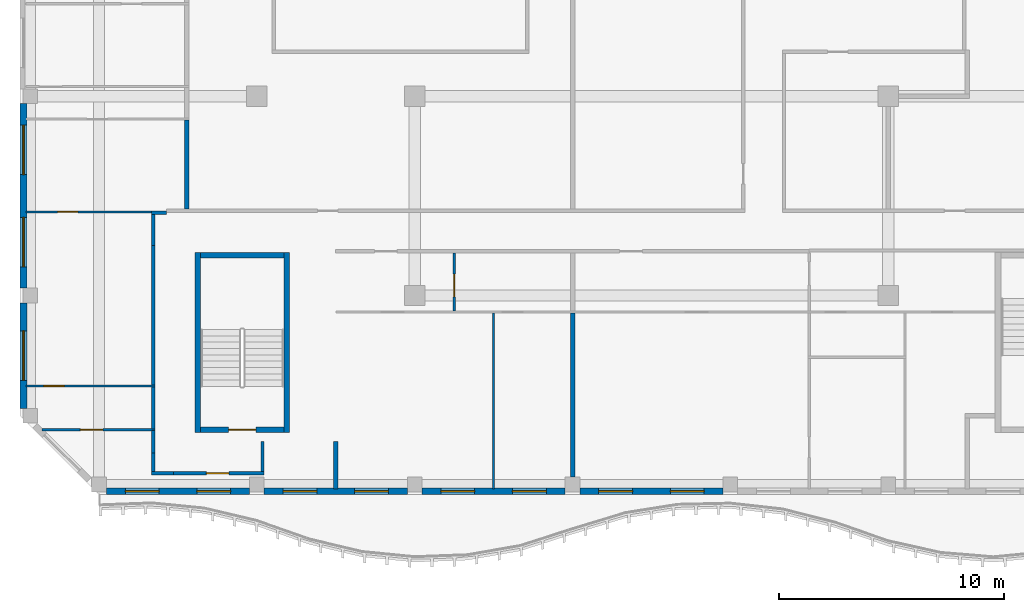
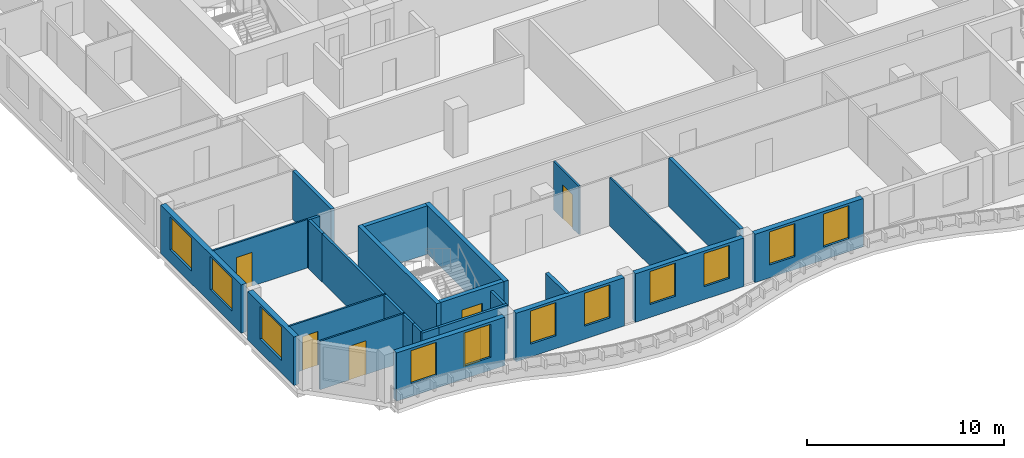
# One storey, part 2 of 13: 27 walls, 11 windows, 6 doors, 17 openings.
"""IFC4 building model written with IfcOpenShell, lengths in metres."""

from ifc_helpers import new_model, si_unit, direction, frame, frame_2d, origin, place, context, subcontext, project, spatial, rectangle, extrude, source, transform, mapped, material, layer, layer_set, type_object, element, fill, save


model = new_model("IFC4")

# Units and contexts
model_context = context("Model", 3, precision=1e-05, world=origin(), true_north=direction((0.0, 1.0)))
body_context = subcontext(model_context, "Body", "Model", "MODEL_VIEW")
ifc_project = project(units=[si_unit("LENGTHUNIT", "METRE"), si_unit("AREAUNIT", "SQUARE_METRE"), si_unit("VOLUMEUNIT", "CUBIC_METRE"), si_unit("PLANEANGLEUNIT", "RADIAN"), si_unit("MASSUNIT", "GRAM", prefix="KILO")], contexts=[model_context])

# Site, building, storey
site_placement = place(None, origin())
site = spatial("IfcSite", under=ifc_project, at=site_placement, CompositionType="ELEMENT")
building_placement = place(site_placement, origin())
building = spatial("IfcBuilding", under=site, at=building_placement, Name="Kilnfold Tower and Market Hall", CompositionType="ELEMENT")
storey_placement = place(building_placement, frame((0.0, 0.0, 287.39990234375)))
storey = spatial("IfcBuildingStorey", under=building, at=storey_placement, Name="L71", CompositionType="ELEMENT", Elevation=287.39990234375)

# Wall
ifc_material_1 = material(Name="Gypsum board on steel studs", Category="steel")
ifc_layer_1 = layer(ifc_material_1, 0.14990234375)
ifc_layer_set_1 = layer_set([ifc_layer_1], Name="Gypsum board on steel studs")
wall_type_1 = type_object("IfcWallType", Name="WALL CORRIDOR 150", PredefinedType="PARTITIONING", material=ifc_layer_set_1)
wall_1_placement = place(storey_placement, frame((-14.75, -17.47509765625, 0.0), z_axis=(0.0, 0.0, 1.0), x_axis=(0.0, 1.0, 0.0)))
element("IfcWall", 1, at=wall_1_placement, inside=storey, type_object=wall_type_1, Name="Partition LY43.1", PredefinedType="PARTITIONING", context=body_context, shape_type="SweptSolid", body=[
    extrude(rectangle(XDim=1.335205078125, YDim=0.14990234375, at=frame_2d((0.66748046875, 0.0))), origin(), (0.0, 0.0, 1.0), 3.0),
])

# Wall, opening, door
wall_2_placement = place(storey_placement, frame((-18.697998046875, -17.550048828125, 0.0), z_axis=(0.0, 0.0, 1.0), x_axis=(1.0, 0.0, 0.0)))
wall_2 = element("IfcWall", 2, at=wall_2_placement, inside=storey, type_object=wall_type_1, Name="Partition LY43.2", PredefinedType="PARTITIONING", context=body_context, shape_type="SweptSolid", body=[
    extrude(rectangle(XDim=4.02294921875, YDim=0.14990234375, at=frame_2d((2.011474609375, 0.0))), origin(), (0.0, 0.0, 1.0), 3.0),
])
opening_1_placement = place(wall_2_placement, frame((1.4599609375, 0.0, 0.0)))
opening_1 = element("IfcOpeningElement", 3, at=opening_1_placement, cuts=wall_2, Name="Opening D1", PredefinedType="OPENING", context=body_context, shape_type="SweptSolid", body=[
    extrude(rectangle(XDim=1.0, YDim=2.10009765625, at=frame_2d((0.5, 1.050048828125))), frame((0.0, 0.0849609375, 0.0), z_axis=(0.0, -1.0, 0.0), x_axis=(1.0, 0.0, 0.0)), (0.0, 0.0, 1.0), 0.169921875),
])
ifc_material_2 = material(Name="Timber veneer door leaf in steel frame", Category="steel")
door_type_1 = type_object("IfcDoorType", Name="DOOR ENTRY 1000 X2100", OperationType="NOTDEFINED", PredefinedType="DOOR", material=ifc_material_2)
door_1_placement = place(opening_1_placement, origin())
door_1 = element("IfcDoor", 4, at=door_1_placement, inside=storey, type_object=door_type_1, Name="Door D1", OperationType="SINGLE_SWING_RIGHT", OverallHeight=2.10009765625, OverallWidth=1.0, PredefinedType="DOOR", context=body_context, shape_type="SweptSolid", body=[
    extrude(rectangle(XDim=1.0, YDim=2.10009765625, at=frame_2d((0.5, 1.050048828125))), frame((0.0, 0.02490234375, 0.0), z_axis=(0.0, -1.0, 0.0), x_axis=(1.0, 0.0, 0.0)), (0.0, 0.0, 1.0), 0.050048828125),
])
fill(opening_1, door_1)

# Walls
wall_3_placement = place(storey_placement, frame((-19.677001953125, -17.552001953125, 0.0), z_axis=(0.0, 0.0, 1.0), x_axis=(1.0, 0.0, 0.0)))
element("IfcWall", 5, at=wall_3_placement, inside=storey, type_object=wall_type_1, Name="Partition LY43.3", PredefinedType="PARTITIONING", context=body_context, shape_type="SweptSolid", body=[
    extrude(rectangle(XDim=0.97900390625, YDim=0.14990234375, at=frame_2d((0.489501953125, 0.0))), origin(), (0.0, 0.0, 1.0), 3.0),
])
wall_4_placement = place(storey_placement, frame((-19.60205078125, -17.47705078125, 0.0), z_axis=(0.0, 0.0, 1.0), x_axis=(0.0, 1.0, 0.0)))
element("IfcWall", 6, at=wall_4_placement, inside=storey, type_object=wall_type_1, Name="Partition LY43.4", PredefinedType="PARTITIONING", context=body_context, shape_type="SweptSolid", body=[
    extrude(rectangle(XDim=0.8291015625, YDim=0.14990234375, at=frame_2d((0.41455078125, 0.0))), origin(), (0.0, 0.0, 1.0), 3.0),
])
wall_5_placement = place(storey_placement, frame((-19.60009765625, -16.64794921875, 0.0), z_axis=(0.0, 0.0, 1.0), x_axis=(0.0, 1.0, 0.0)))
element("IfcWall", 7, at=wall_5_placement, inside=storey, type_object=wall_type_1, Name="Partition LY43.5", PredefinedType="PARTITIONING", context=body_context, shape_type="SweptSolid", body=[
    extrude(rectangle(XDim=0.989990234375, YDim=0.14990234375, at=frame_2d((0.4951171875, 0.0))), origin(), (0.0, 0.0, 1.0), 3.0),
])
wall_6_placement = place(storey_placement, frame((-19.60009765625, -15.577880859375, 0.0), z_axis=(0.0, 0.0, 1.0), x_axis=(0.0, 1.0, 0.0)))
element("IfcWall", 8, at=wall_6_placement, inside=storey, type_object=wall_type_1, Name="Partition LY43.6", PredefinedType="PARTITIONING", context=body_context, shape_type="SweptSolid", body=[
    extrude(rectangle(XDim=1.85498046875, YDim=0.14990234375, at=frame_2d((0.927490234375, 0.0))), origin(), (0.0, 0.0, 1.0), 3.0),
])
wall_7_placement = place(storey_placement, frame((-19.0, -5.99609375, 0.0), z_axis=(0.0, 0.0, 1.0), x_axis=(-1.0, 0.0, 0.0)))
element("IfcWall", 9, at=wall_7_placement, inside=storey, type_object=wall_type_1, Name="Partition LY43.7", PredefinedType="PARTITIONING", context=body_context, shape_type="SweptSolid", body=[
    extrude(rectangle(XDim=0.677001953125, YDim=0.14990234375, at=frame_2d((0.33837890625, 0.0))), origin(), (0.0, 0.0, 1.0), 3.0),
])
wall_8_placement = place(storey_placement, frame((-19.60009765625, -13.64306640625, 0.0), z_axis=(0.0, 0.0, 1.0), x_axis=(0.0, 1.0, 0.0)))
element("IfcWall", 10, at=wall_8_placement, inside=storey, type_object=wall_type_1, Name="Partition LY43.8", PredefinedType="PARTITIONING", context=body_context, shape_type="SweptSolid", body=[
    extrude(rectangle(XDim=6.191162109375, YDim=0.14990234375, at=frame_2d((3.095703125, 0.0))), origin(), (0.0, 0.0, 1.0), 3.0),
])
wall_9_placement = place(storey_placement, frame((-19.60205078125, -7.451904296875, 0.0), z_axis=(0.0, 0.0, 1.0), x_axis=(0.0, 1.0, 0.0)))
element("IfcWall", 11, at=wall_9_placement, inside=storey, type_object=wall_type_1, Name="Partition LY43.9", PredefinedType="PARTITIONING", context=body_context, shape_type="SweptSolid", body=[
    extrude(rectangle(XDim=1.380859375, YDim=0.14990234375, at=frame_2d((0.6904296875, 0.0))), origin(), (0.0, 0.0, 1.0), 3.0),
])

# Wall, opening, door
ifc_material_3 = material(Name="Gypsum board on steel studs", Category="steel")
ifc_layer_2 = layer(ifc_material_3, 0.10009765625)
ifc_layer_set_2 = layer_set([ifc_layer_2], Name="Gypsum board on steel studs")
wall_type_2 = type_object("IfcWallType", Name="WALL PARTITION 100", PredefinedType="PARTITIONING", material=ifc_layer_set_2)
wall_10_placement = place(storey_placement, frame((-19.527099609375, -15.617919921875, 0.0), z_axis=(0.0, 0.0, 1.0), x_axis=(-1.0, 0.0, 0.0)))
wall_10 = element("IfcWall", 12, at=wall_10_placement, inside=storey, type_object=wall_type_2, Name="Partition LY43.35", PredefinedType="PARTITIONING", context=body_context, shape_type="SweptSolid", body=[
    extrude(rectangle(XDim=5.0009765625, YDim=0.10009765625, at=frame_2d((2.50048828125, 0.0))), origin(), (0.0, 0.0, 1.0), 3.0),
])
opening_2_placement = place(wall_10_placement, frame((2.301025390625, 0.0, 0.0)))
opening_2 = element("IfcOpeningElement", 13, at=opening_2_placement, cuts=wall_10, Name="Opening D1", PredefinedType="OPENING", context=body_context, shape_type="SweptSolid", body=[
    extrude(rectangle(XDim=1.0, YDim=2.10009765625, at=frame_2d((0.5, 1.050048828125))), frame((0.0, 0.06005859375, 0.0), z_axis=(0.0, -1.0, 0.0), x_axis=(1.0, 0.0, 0.0)), (0.0, 0.0, 1.0), 0.1201171875),
])
door_2_placement = place(opening_2_placement, origin())
door_2 = element("IfcDoor", 14, at=door_2_placement, inside=storey, type_object=door_type_1, Name="Door D1", OperationType="SINGLE_SWING_RIGHT", OverallHeight=2.10009765625, OverallWidth=1.0, PredefinedType="DOOR", context=body_context, shape_type="SweptSolid", body=[
    extrude(rectangle(XDim=1.0, YDim=2.10009765625, at=frame_2d((0.5, 1.050048828125))), frame((0.0, 0.02490234375, 0.0), z_axis=(0.0, -1.0, 0.0), x_axis=(1.0, 0.0, 0.0)), (0.0, 0.0, 1.0), 0.050048828125),
])
fill(opening_2, door_2)

wall_11_placement = place(storey_placement, frame((-19.527099609375, -13.68310546875, 0.0), z_axis=(0.0, 0.0, 1.0), x_axis=(-1.0, 0.0, 0.0)))
wall_11 = element("IfcWall", 15, at=wall_11_placement, inside=storey, type_object=wall_type_2, Name="Partition LY43.37", PredefinedType="PARTITIONING", context=body_context, shape_type="SweptSolid", body=[
    extrude(rectangle(XDim=5.722900390625, YDim=0.10009765625, at=frame_2d((2.861328125, 0.0))), origin(), (0.0, 0.0, 1.0), 3.0),
])
opening_3_placement = place(wall_11_placement, frame((4.02001953125, 0.0, 0.0)))
opening_3 = element("IfcOpeningElement", 16, at=opening_3_placement, cuts=wall_11, Name="Opening D2", PredefinedType="OPENING", context=body_context, shape_type="SweptSolid", body=[
    extrude(rectangle(XDim=0.89990234375, YDim=2.10009765625, at=frame_2d((0.449951171875, 1.050048828125))), frame((0.0, 0.06005859375, 0.0), z_axis=(0.0, -1.0, 0.0), x_axis=(1.0, 0.0, 0.0)), (0.0, 0.0, 1.0), 0.1201171875),
])
ifc_material_4 = material(Name="Timber veneer door leaf in steel frame", Category="steel")
door_type_2 = type_object("IfcDoorType", Name="DOOR ROOM 900 X2100", OperationType="NOTDEFINED", PredefinedType="DOOR", material=ifc_material_4)
door_3_placement = place(opening_3_placement, origin())
door_3 = element("IfcDoor", 17, at=door_3_placement, inside=storey, type_object=door_type_2, Name="Door D2", OperationType="SINGLE_SWING_LEFT", OverallHeight=2.10009765625, OverallWidth=0.89990234375, PredefinedType="DOOR", context=body_context, shape_type="SweptSolid", body=[
    extrude(rectangle(XDim=0.89990234375, YDim=2.10009765625, at=frame_2d((0.449951171875, 1.050048828125))), frame((0.0, 0.02490234375, 0.0), z_axis=(0.0, -1.0, 0.0), x_axis=(1.0, 0.0, 0.0)), (0.0, 0.0, 1.0), 0.050048828125),
])
fill(opening_3, door_3)

wall_12_placement = place(storey_placement, frame((-19.677001953125, -5.9580078125, 0.0), z_axis=(0.0, 0.0, 1.0), x_axis=(-1.0, 0.0, 0.0)))
wall_12 = element("IfcWall", 18, at=wall_12_placement, inside=storey, type_object=wall_type_2, Name="Partition LY43.38", PredefinedType="PARTITIONING", context=body_context, shape_type="SweptSolid", body=[
    extrude(rectangle(XDim=5.572998046875, YDim=0.10009765625, at=frame_2d((2.78662109375, 0.0))), origin(), (0.0, 0.0, 1.0), 3.0),
])
opening_4_placement = place(wall_12_placement, frame((3.260986328125, 0.0, 0.0)))
opening_4 = element("IfcOpeningElement", 19, at=opening_4_placement, cuts=wall_12, Name="Opening D2", PredefinedType="OPENING", context=body_context, shape_type="SweptSolid", body=[
    extrude(rectangle(XDim=0.89990234375, YDim=2.10009765625, at=frame_2d((0.449951171875, 1.050048828125))), frame((0.0, 0.06005859375, 0.0), z_axis=(0.0, -1.0, 0.0), x_axis=(1.0, 0.0, 0.0)), (0.0, 0.0, 1.0), 0.1201171875),
])
door_4_placement = place(opening_4_placement, origin())
door_4 = element("IfcDoor", 20, at=door_4_placement, inside=storey, type_object=door_type_2, Name="Door D2", OperationType="SINGLE_SWING_RIGHT", OverallHeight=2.10009765625, OverallWidth=0.89990234375, PredefinedType="DOOR", context=body_context, shape_type="SweptSolid", body=[
    extrude(rectangle(XDim=0.89990234375, YDim=2.10009765625, at=frame_2d((0.449951171875, 1.050048828125))), frame((0.0, 0.02490234375, 0.0), z_axis=(0.0, -1.0, 0.0), x_axis=(1.0, 0.0, 0.0)), (0.0, 0.0, 1.0), 0.050048828125),
])
fill(opening_4, door_4)

wall_13_placement = place(storey_placement, frame((-6.25, -10.35009765625, 0.0), z_axis=(0.0, 0.0, 1.0), x_axis=(0.0, 1.0, 0.0)))
wall_13 = element("IfcWall", 21, at=wall_13_placement, inside=storey, type_object=wall_type_2, Name="Partition LY43.48", PredefinedType="PARTITIONING", context=body_context, shape_type="SweptSolid", body=[
    extrude(rectangle(XDim=2.572998046875, YDim=0.10009765625, at=frame_2d((1.28662109375, 0.0))), origin(), (0.0, 0.0, 1.0), 3.0),
])
opening_5_placement = place(wall_13_placement, frame((0.626953125, 0.0, 0.0)))
opening_5 = element("IfcOpeningElement", 22, at=opening_5_placement, cuts=wall_13, Name="Opening D1", PredefinedType="OPENING", context=body_context, shape_type="SweptSolid", body=[
    extrude(rectangle(XDim=1.0, YDim=2.10009765625, at=frame_2d((0.5, 1.050048828125))), frame((0.0, 0.06005859375, 0.0), z_axis=(0.0, -1.0, 0.0), x_axis=(1.0, 0.0, 0.0)), (0.0, 0.0, 1.0), 0.1201171875),
])
door_5_placement = place(opening_5_placement, origin())
door_5 = element("IfcDoor", 23, at=door_5_placement, inside=storey, type_object=door_type_1, Name="Door D1", OperationType="SINGLE_SWING_LEFT", OverallHeight=2.10009765625, OverallWidth=1.0, PredefinedType="DOOR", context=body_context, shape_type="SweptSolid", body=[
    extrude(rectangle(XDim=1.0, YDim=2.10009765625, at=frame_2d((0.5, 1.050048828125))), frame((0.0, 0.02490234375, 0.0), z_axis=(0.0, -1.0, 0.0), x_axis=(1.0, 0.0, 0.0)), (0.0, 0.0, 1.0), 0.050048828125),
])
fill(opening_5, door_5)

# Walls
wall_14_placement = place(storey_placement, frame((-4.5, -18.25, 0.0), z_axis=(0.0, 0.0, 1.0), x_axis=(0.0, 1.0, 0.0)))
element("IfcWall", 24, at=wall_14_placement, inside=storey, type_object=wall_type_2, Name="Partition LY43.51", PredefinedType="PARTITIONING", context=body_context, shape_type="SweptSolid", body=[
    extrude(rectangle(XDim=7.798095703125, YDim=0.10009765625, at=frame_2d((3.89892578125, 0.0))), origin(), (0.0, 0.0, 1.0), 3.0),
])
ifc_material_5 = material(Name="Gypsum board on steel studs", Category="steel")
ifc_layer_3 = layer(ifc_material_5, 0.199951171875)
ifc_layer_set_3 = layer_set([ifc_layer_3], Name="Gypsum board on steel studs")
wall_type_3 = type_object("IfcWallType", Name="WALL PARTY 200", PredefinedType="PARTITIONING", material=ifc_layer_set_3)
wall_15_placement = place(storey_placement, frame((-11.5, -18.25, 0.0), z_axis=(0.0, 0.0, 1.0), x_axis=(0.0, 1.0, 0.0)))
element("IfcWall", 25, at=wall_15_placement, inside=storey, type_object=wall_type_3, Name="Partition LY43.36", PredefinedType="PARTITIONING", context=body_context, shape_type="SweptSolid", body=[
    extrude(rectangle(XDim=2.10009765625, YDim=0.199951171875, at=frame_2d((1.050048828125, 0.0))), origin(), (0.0, 0.0, 1.0), 3.0),
])
wall_16_placement = place(storey_placement, frame((-18.10009765625, -5.822998046875, 0.0), z_axis=(0.0, 0.0, 1.0), x_axis=(0.0, 1.0, 0.0)))
element("IfcWall", 26, at=wall_16_placement, inside=storey, type_object=wall_type_3, Name="Partition LY43.40", PredefinedType="PARTITIONING", context=body_context, shape_type="SweptSolid", body=[
    extrude(rectangle(XDim=3.930908203125, YDim=0.199951171875, at=frame_2d((1.96533203125, 0.0))), origin(), (0.0, 0.0, 1.0), 3.0),
])
wall_17_placement = place(storey_placement, frame((-1.0, -17.72509765625, 0.0), z_axis=(0.0, 0.0, 1.0), x_axis=(0.0, 1.0, 0.0)))
element("IfcWall", 27, at=wall_17_placement, inside=storey, type_object=wall_type_3, Name="Partition LY43.52", PredefinedType="PARTITIONING", context=body_context, shape_type="SweptSolid", body=[
    extrude(rectangle(XDim=7.273193359375, YDim=0.199951171875, at=frame_2d((3.63671875, 0.0))), origin(), (0.0, 0.0, 1.0), 3.0),
])

# Wall, opening, door
ifc_material_6 = material(Name="Concrete C50", Category="concrete")
ifc_layer_4 = layer(ifc_material_6, 0.25)
ifc_layer_set_4 = layer_set([ifc_layer_4], Name="Concrete C50")
wall_type_4 = type_object("IfcWallType", Name="CORE WALL 250 C50", PredefinedType="SHEAR", material=ifc_layer_set_4)
shared_shape_1 = source(origin(), body_context, "Body", "SweptSolid", [
    extrude(rectangle(XDim=3.699951171875, YDim=0.25, at=frame_2d((1.85009765625, 0.0))), origin(), (0.0, 0.0, 1.0), 3.0),
])
wall_18_placement = place(storey_placement, frame((-17.5, -15.625, 0.0), z_axis=(0.0, 0.0, 1.0), x_axis=(1.0, 0.0, 0.0)))
wall_18 = element("IfcWall", 28, at=wall_18_placement, inside=storey, type_object=wall_type_4, Name="Stair enclosure ST3", PredefinedType="SHEAR", context=body_context, shape_type="MappedRepresentation", body=[
    mapped(shared_shape_1, transform((0.0, 0.0, 0.0))),
])
opening_6_placement = place(wall_18_placement, frame((1.25, 0.0, 0.0)))
opening_6 = element("IfcOpeningElement", 29, at=opening_6_placement, cuts=wall_18, Name="Opening SD1", PredefinedType="OPENING", context=body_context, shape_type="SweptSolid", body=[
    extrude(rectangle(XDim=1.199951171875, YDim=2.10009765625, at=frame_2d((0.60009765625, 1.050048828125))), frame((0.0, 0.135009765625, 0.0), z_axis=(0.0, -1.0, 0.0), x_axis=(1.0, 0.0, 0.0)), (0.0, 0.0, 1.0), 0.27001953125),
])
ifc_material_7 = material(Name="Steel door set with fire-resisting leaf", Category="steel")
door_type_3 = type_object("IfcDoorType", Name="STAIR FLOOR DOOR 1200X2100", OperationType="NOTDEFINED", PredefinedType="DOOR", material=ifc_material_7)
door_6_placement = place(opening_6_placement, origin())
door_6 = element("IfcDoor", 30, at=door_6_placement, inside=storey, type_object=door_type_3, Name="Exit stair ST3 door", OperationType="DOUBLE_DOOR_SINGLE_SWING", OverallHeight=2.10009765625, OverallWidth=1.199951171875, PredefinedType="DOOR", context=body_context, shape_type="SweptSolid", body=[
    extrude(rectangle(XDim=1.199951171875, YDim=2.10009765625, at=frame_2d((0.60009765625, 1.050048828125))), frame((0.0, 0.02490234375, 0.0), z_axis=(0.0, -1.0, 0.0), x_axis=(1.0, 0.0, 0.0)), (0.0, 0.0, 1.0), 0.050048828125),
])
fill(opening_6, door_6)

# Walls
wall_19_placement = place(storey_placement, frame((-17.5, -7.875, 0.0), z_axis=(0.0, 0.0, 1.0), x_axis=(1.0, 0.0, 0.0)))
element("IfcWall", 31, at=wall_19_placement, inside=storey, type_object=wall_type_4, Name="Stair enclosure ST3", PredefinedType="SHEAR", context=body_context, shape_type="MappedRepresentation", body=[
    mapped(shared_shape_1, transform((0.0, 0.0, 0.0))),
])
shared_shape_2 = source(origin(), body_context, "Body", "SweptSolid", [
    extrude(rectangle(XDim=8.0, YDim=0.25, at=frame_2d((4.0, 0.0))), origin(), (0.0, 0.0, 1.0), 3.0),
])
for number, where, z_axis, x_axis, name in (
    (32, (-17.625, -15.75, 0.0), (0.0, 0.0, 1.0), (0.0, 1.0, 0.0), "Stair enclosure ST3"),
    (33, (-13.675048828125, -15.75, 0.0), (0.0, 0.0, 1.0), (0.0, 1.0, 0.0), "Stair enclosure ST3"),
):
    element("IfcWall", number, at=place(storey_placement, frame(where, z_axis=z_axis, x_axis=x_axis)), inside=storey, type_object=wall_type_4, Name=name, PredefinedType="SHEAR", context=body_context, shape_type="MappedRepresentation", body=[
        mapped(shared_shape_2, transform((0.0, 0.0, 0.0))),
    ])

# Wall, openings, windows
ifc_material_8 = material(Name="Precast concrete C50/60", Category="concrete")
ifc_layer_5 = layer(ifc_material_8, 0.300048828125)
ifc_layer_set_5 = layer_set([ifc_layer_5], Name="Precast concrete C50/60")
wall_type_5 = type_object("IfcWallType", Name="PRECAST WALL 300", PredefinedType="SOLIDWALL", material=ifc_layer_set_5)
shared_shape_3 = source(origin(), body_context, "Body", "SweptSolid", [
    extrude(rectangle(XDim=6.35009765625, YDim=0.300048828125, at=frame_2d((3.175048828125, 0.0))), origin(), (0.0, 0.0, 1.0), 3.0),
])
wall_20_placement = place(storey_placement, frame((-21.675048828125, -18.35009765625, 0.0), z_axis=(0.0, 0.0, 1.0), x_axis=(1.0, 0.0, 0.0)))
wall_20 = element("IfcWall", 34, at=wall_20_placement, inside=storey, type_object=wall_type_5, Name="External wall L71 S", PredefinedType="SOLIDWALL", context=body_context, shape_type="MappedRepresentation", body=[
    mapped(shared_shape_3, transform((0.0, 0.0, 0.0))),
])
opening_7_placement = place(wall_20_placement, frame((0.83740234375, 0.0, 0.800048828125)))
opening_7 = element("IfcOpeningElement", 35, at=opening_7_placement, cuts=wall_20, Name="Opening W5", PredefinedType="OPENING", context=body_context, shape_type="SweptSolid", body=[
    extrude(rectangle(XDim=1.5, YDim=2.050048828125, at=frame_2d((0.75, 1.02490234375))), frame((0.0, 0.16015625, 0.0), z_axis=(0.0, -1.0, 0.0), x_axis=(1.0, 0.0, 0.0)), (0.0, 0.0, 1.0), 0.320068359375),
])
opening_8_placement = place(wall_20_placement, frame((4.012451171875, 0.0, 0.800048828125)))
opening_8 = element("IfcOpeningElement", 36, at=opening_8_placement, cuts=wall_20, Name="Opening W5", PredefinedType="OPENING", context=body_context, shape_type="SweptSolid", body=[
    extrude(rectangle(XDim=1.5, YDim=2.050048828125, at=frame_2d((0.75, 1.02490234375))), frame((0.0, 0.16015625, 0.0), z_axis=(0.0, -1.0, 0.0), x_axis=(1.0, 0.0, 0.0)), (0.0, 0.0, 1.0), 0.320068359375),
])
ifc_material_9 = material(Name="Aluminium frame and double glazing", Category="aluminium")
window_type_1 = type_object("IfcWindowType", Name="WINDOW W5 1500X2050", PartitioningType="SINGLE_PANEL", PredefinedType="WINDOW", material=ifc_material_9)
window_1_placement = place(opening_7_placement, origin())
window_1 = element("IfcWindow", 37, at=window_1_placement, inside=storey, type_object=window_type_1, Name="Window W5 L71 S-1", OverallHeight=2.050048828125, OverallWidth=1.5, PartitioningType="SINGLE_PANEL", PredefinedType="WINDOW", context=body_context, shape_type="SweptSolid", body=[
    extrude(rectangle(XDim=1.5, YDim=2.050048828125, at=frame_2d((0.75, 1.02490234375))), frame((0.0, 0.030029296875, 0.0), z_axis=(0.0, -1.0, 0.0), x_axis=(1.0, 0.0, 0.0)), (0.0, 0.0, 1.0), 0.06005859375),
])
fill(opening_7, window_1)
window_2_placement = place(opening_8_placement, origin())
window_2 = element("IfcWindow", 38, at=window_2_placement, inside=storey, type_object=window_type_1, Name="Window W5 L71 S-2", OverallHeight=2.050048828125, OverallWidth=1.5, PartitioningType="SINGLE_PANEL", PredefinedType="WINDOW", context=body_context, shape_type="SweptSolid", body=[
    extrude(rectangle(XDim=1.5, YDim=2.050048828125, at=frame_2d((0.75, 1.02490234375))), frame((0.0, 0.030029296875, 0.0), z_axis=(0.0, -1.0, 0.0), x_axis=(1.0, 0.0, 0.0)), (0.0, 0.0, 1.0), 0.06005859375),
])
fill(opening_8, window_2)

wall_21_placement = place(storey_placement, frame((-14.675048828125, -18.35009765625, 0.0), z_axis=(0.0, 0.0, 1.0), x_axis=(1.0, 0.0, 0.0)))
wall_21 = element("IfcWall", 39, at=wall_21_placement, inside=storey, type_object=wall_type_5, Name="External wall L71 S", PredefinedType="SOLIDWALL", context=body_context, shape_type="MappedRepresentation", body=[
    mapped(shared_shape_3, transform((0.0, 0.0, 0.0))),
])
opening_9_placement = place(wall_21_placement, frame((0.83740234375, 0.0, 0.800048828125)))
opening_9 = element("IfcOpeningElement", 40, at=opening_9_placement, cuts=wall_21, Name="Opening W5", PredefinedType="OPENING", context=body_context, shape_type="SweptSolid", body=[
    extrude(rectangle(XDim=1.5, YDim=2.050048828125, at=frame_2d((0.75, 1.02490234375))), frame((0.0, 0.16015625, 0.0), z_axis=(0.0, -1.0, 0.0), x_axis=(1.0, 0.0, 0.0)), (0.0, 0.0, 1.0), 0.320068359375),
])
opening_10_placement = place(wall_21_placement, frame((4.012451171875, 0.0, 0.800048828125)))
opening_10 = element("IfcOpeningElement", 41, at=opening_10_placement, cuts=wall_21, Name="Opening W5", PredefinedType="OPENING", context=body_context, shape_type="SweptSolid", body=[
    extrude(rectangle(XDim=1.5, YDim=2.050048828125, at=frame_2d((0.75, 1.02490234375))), frame((0.0, 0.16015625, 0.0), z_axis=(0.0, -1.0, 0.0), x_axis=(1.0, 0.0, 0.0)), (0.0, 0.0, 1.0), 0.320068359375),
])
window_3_placement = place(opening_9_placement, origin())
window_3 = element("IfcWindow", 42, at=window_3_placement, inside=storey, type_object=window_type_1, Name="Window W5 L71 S-1", OverallHeight=2.050048828125, OverallWidth=1.5, PartitioningType="SINGLE_PANEL", PredefinedType="WINDOW", context=body_context, shape_type="SweptSolid", body=[
    extrude(rectangle(XDim=1.5, YDim=2.050048828125, at=frame_2d((0.75, 1.02490234375))), frame((0.0, 0.030029296875, 0.0), z_axis=(0.0, -1.0, 0.0), x_axis=(1.0, 0.0, 0.0)), (0.0, 0.0, 1.0), 0.06005859375),
])
fill(opening_9, window_3)
window_4_placement = place(opening_10_placement, origin())
window_4 = element("IfcWindow", 43, at=window_4_placement, inside=storey, type_object=window_type_1, Name="Window W5 L71 S-2", OverallHeight=2.050048828125, OverallWidth=1.5, PartitioningType="SINGLE_PANEL", PredefinedType="WINDOW", context=body_context, shape_type="SweptSolid", body=[
    extrude(rectangle(XDim=1.5, YDim=2.050048828125, at=frame_2d((0.75, 1.02490234375))), frame((0.0, 0.030029296875, 0.0), z_axis=(0.0, -1.0, 0.0), x_axis=(1.0, 0.0, 0.0)), (0.0, 0.0, 1.0), 0.06005859375),
])
fill(opening_10, window_4)

wall_22_placement = place(storey_placement, frame((-7.675048828125, -18.35009765625, 0.0), z_axis=(0.0, 0.0, 1.0), x_axis=(1.0, 0.0, 0.0)))
wall_22 = element("IfcWall", 44, at=wall_22_placement, inside=storey, type_object=wall_type_5, Name="External wall L71 S", PredefinedType="SOLIDWALL", context=body_context, shape_type="MappedRepresentation", body=[
    mapped(shared_shape_3, transform((0.0, 0.0, 0.0))),
])
opening_11_placement = place(wall_22_placement, frame((0.83740234375, 0.0, 0.800048828125)))
opening_11 = element("IfcOpeningElement", 45, at=opening_11_placement, cuts=wall_22, Name="Opening W5", PredefinedType="OPENING", context=body_context, shape_type="SweptSolid", body=[
    extrude(rectangle(XDim=1.5, YDim=2.050048828125, at=frame_2d((0.75, 1.02490234375))), frame((0.0, 0.16015625, 0.0), z_axis=(0.0, -1.0, 0.0), x_axis=(1.0, 0.0, 0.0)), (0.0, 0.0, 1.0), 0.320068359375),
])
opening_12_placement = place(wall_22_placement, frame((4.012451171875, 0.0, 0.800048828125)))
opening_12 = element("IfcOpeningElement", 46, at=opening_12_placement, cuts=wall_22, Name="Opening W5", PredefinedType="OPENING", context=body_context, shape_type="SweptSolid", body=[
    extrude(rectangle(XDim=1.5, YDim=2.050048828125, at=frame_2d((0.75, 1.02490234375))), frame((0.0, 0.16015625, 0.0), z_axis=(0.0, -1.0, 0.0), x_axis=(1.0, 0.0, 0.0)), (0.0, 0.0, 1.0), 0.320068359375),
])
window_5_placement = place(opening_11_placement, origin())
window_5 = element("IfcWindow", 47, at=window_5_placement, inside=storey, type_object=window_type_1, Name="Window W5 L71 S-1", OverallHeight=2.050048828125, OverallWidth=1.5, PartitioningType="SINGLE_PANEL", PredefinedType="WINDOW", context=body_context, shape_type="SweptSolid", body=[
    extrude(rectangle(XDim=1.5, YDim=2.050048828125, at=frame_2d((0.75, 1.02490234375))), frame((0.0, 0.030029296875, 0.0), z_axis=(0.0, -1.0, 0.0), x_axis=(1.0, 0.0, 0.0)), (0.0, 0.0, 1.0), 0.06005859375),
])
fill(opening_11, window_5)
window_6_placement = place(opening_12_placement, origin())
window_6 = element("IfcWindow", 48, at=window_6_placement, inside=storey, type_object=window_type_1, Name="Window W5 L71 S-2", OverallHeight=2.050048828125, OverallWidth=1.5, PartitioningType="SINGLE_PANEL", PredefinedType="WINDOW", context=body_context, shape_type="SweptSolid", body=[
    extrude(rectangle(XDim=1.5, YDim=2.050048828125, at=frame_2d((0.75, 1.02490234375))), frame((0.0, 0.030029296875, 0.0), z_axis=(0.0, -1.0, 0.0), x_axis=(1.0, 0.0, 0.0)), (0.0, 0.0, 1.0), 0.06005859375),
])
fill(opening_12, window_6)

wall_23_placement = place(storey_placement, frame((-0.675048828125, -18.35009765625, 0.0), z_axis=(0.0, 0.0, 1.0), x_axis=(1.0, 0.0, 0.0)))
wall_23 = element("IfcWall", 49, at=wall_23_placement, inside=storey, type_object=wall_type_5, Name="External wall L71 S", PredefinedType="SOLIDWALL", context=body_context, shape_type="MappedRepresentation", body=[
    mapped(shared_shape_3, transform((0.0, 0.0, 0.0))),
])
opening_13_placement = place(wall_23_placement, frame((0.83740234375, 0.0, 0.800048828125)))
opening_13 = element("IfcOpeningElement", 50, at=opening_13_placement, cuts=wall_23, Name="Opening W5", PredefinedType="OPENING", context=body_context, shape_type="SweptSolid", body=[
    extrude(rectangle(XDim=1.5, YDim=2.050048828125, at=frame_2d((0.75, 1.02490234375))), frame((0.0, 0.16015625, 0.0), z_axis=(0.0, -1.0, 0.0), x_axis=(1.0, 0.0, 0.0)), (0.0, 0.0, 1.0), 0.320068359375),
])
opening_14_placement = place(wall_23_placement, frame((4.012451171875, 0.0, 0.800048828125)))
opening_14 = element("IfcOpeningElement", 51, at=opening_14_placement, cuts=wall_23, Name="Opening W5", PredefinedType="OPENING", context=body_context, shape_type="SweptSolid", body=[
    extrude(rectangle(XDim=1.5, YDim=2.050048828125, at=frame_2d((0.75, 1.02490234375))), frame((0.0, 0.16015625, 0.0), z_axis=(0.0, -1.0, 0.0), x_axis=(1.0, 0.0, 0.0)), (0.0, 0.0, 1.0), 0.320068359375),
])
window_7_placement = place(opening_13_placement, origin())
window_7 = element("IfcWindow", 52, at=window_7_placement, inside=storey, type_object=window_type_1, Name="Window W5 L71 S-1", OverallHeight=2.050048828125, OverallWidth=1.5, PartitioningType="SINGLE_PANEL", PredefinedType="WINDOW", context=body_context, shape_type="SweptSolid", body=[
    extrude(rectangle(XDim=1.5, YDim=2.050048828125, at=frame_2d((0.75, 1.02490234375))), frame((0.0, 0.030029296875, 0.0), z_axis=(0.0, -1.0, 0.0), x_axis=(1.0, 0.0, 0.0)), (0.0, 0.0, 1.0), 0.06005859375),
])
fill(opening_13, window_7)
window_8_placement = place(opening_14_placement, origin())
window_8 = element("IfcWindow", 53, at=window_8_placement, inside=storey, type_object=window_type_1, Name="Window W5 L71 S-2", OverallHeight=2.050048828125, OverallWidth=1.5, PartitioningType="SINGLE_PANEL", PredefinedType="WINDOW", context=body_context, shape_type="SweptSolid", body=[
    extrude(rectangle(XDim=1.5, YDim=2.050048828125, at=frame_2d((0.75, 1.02490234375))), frame((0.0, 0.030029296875, 0.0), z_axis=(0.0, -1.0, 0.0), x_axis=(1.0, 0.0, 0.0)), (0.0, 0.0, 1.0), 0.06005859375),
])
fill(opening_14, window_8)

shared_shape_4 = source(origin(), body_context, "Body", "SweptSolid", [
    extrude(rectangle(XDim=8.18359375, YDim=0.300048828125, at=frame_2d((4.091796875, 0.0))), origin(), (0.0, 0.0, 1.0), 3.0),
])
wall_24_placement = place(storey_placement, frame((-25.35009765625, -1.158203125, 0.0), z_axis=(0.0, 0.0, 1.0), x_axis=(0.0, -1.0, 0.0)))
wall_24 = element("IfcWall", 54, at=wall_24_placement, inside=storey, type_object=wall_type_5, Name="External wall L71 W", PredefinedType="SOLIDWALL", context=body_context, shape_type="MappedRepresentation", body=[
    mapped(shared_shape_4, transform((0.0, 0.0, 0.0))),
])
opening_15_placement = place(wall_24_placement, frame((0.94580078125, 0.0, 0.800048828125)))
opening_15 = element("IfcOpeningElement", 55, at=opening_15_placement, cuts=wall_24, Name="Opening W3", PredefinedType="OPENING", context=body_context, shape_type="SweptSolid", body=[
    extrude(rectangle(XDim=2.199951171875, YDim=2.050048828125, at=frame_2d((1.10009765625, 1.02490234375))), frame((0.0, 0.16015625, 0.0), z_axis=(0.0, -1.0, 0.0), x_axis=(1.0, 0.0, 0.0)), (0.0, 0.0, 1.0), 0.320068359375),
])
opening_16_placement = place(wall_24_placement, frame((5.03759765625, 0.0, 0.800048828125)))
opening_16 = element("IfcOpeningElement", 56, at=opening_16_placement, cuts=wall_24, Name="Opening W3", PredefinedType="OPENING", context=body_context, shape_type="SweptSolid", body=[
    extrude(rectangle(XDim=2.199951171875, YDim=2.050048828125, at=frame_2d((1.10009765625, 1.02490234375))), frame((0.0, 0.16015625, 0.0), z_axis=(0.0, -1.0, 0.0), x_axis=(1.0, 0.0, 0.0)), (0.0, 0.0, 1.0), 0.320068359375),
])
ifc_material_10 = material(Name="Aluminium frame and double glazing", Category="aluminium")
window_type_2 = type_object("IfcWindowType", Name="WINDOW W3 2200X2050", PartitioningType="SINGLE_PANEL", PredefinedType="WINDOW", material=ifc_material_10)
window_9_placement = place(opening_15_placement, origin())
window_9 = element("IfcWindow", 57, at=window_9_placement, inside=storey, type_object=window_type_2, Name="Window W3 L71 W-1", OverallHeight=2.050048828125, OverallWidth=2.199951171875, PartitioningType="SINGLE_PANEL", PredefinedType="WINDOW", context=body_context, shape_type="SweptSolid", body=[
    extrude(rectangle(XDim=2.199951171875, YDim=2.050048828125, at=frame_2d((1.10009765625, 1.02490234375))), frame((0.0, 0.030029296875, 0.0), z_axis=(0.0, -1.0, 0.0), x_axis=(1.0, 0.0, 0.0)), (0.0, 0.0, 1.0), 0.06005859375),
])
fill(opening_15, window_9)
window_10_placement = place(opening_16_placement, origin())
window_10 = element("IfcWindow", 58, at=window_10_placement, inside=storey, type_object=window_type_2, Name="Window W3 L71 W-2", OverallHeight=2.050048828125, OverallWidth=2.199951171875, PartitioningType="SINGLE_PANEL", PredefinedType="WINDOW", context=body_context, shape_type="SweptSolid", body=[
    extrude(rectangle(XDim=2.199951171875, YDim=2.050048828125, at=frame_2d((1.10009765625, 1.02490234375))), frame((0.0, 0.030029296875, 0.0), z_axis=(0.0, -1.0, 0.0), x_axis=(1.0, 0.0, 0.0)), (0.0, 0.0, 1.0), 0.06005859375),
])
fill(opening_16, window_10)

# Wall, opening, window
shared_shape_5 = source(origin(), body_context, "Body", "SweptSolid", [
    extrude(rectangle(XDim=4.683349609375, YDim=0.300048828125, at=frame_2d((2.341796875, 0.0))), origin(), (0.0, 0.0, 1.0), 3.0),
])
wall_25_placement = place(storey_placement, frame((-25.35009765625, -9.99169921875, 0.0), z_axis=(0.0, 0.0, 1.0), x_axis=(0.0, -1.0, 0.0)))
wall_25 = element("IfcWall", 59, at=wall_25_placement, inside=storey, type_object=wall_type_5, Name="External wall L71 W", PredefinedType="SOLIDWALL", context=body_context, shape_type="MappedRepresentation", body=[
    mapped(shared_shape_5, transform((0.0, 0.0, 0.0))),
])
opening_17_placement = place(wall_25_placement, frame((1.24169921875, 0.0, 0.800048828125)))
opening_17 = element("IfcOpeningElement", 60, at=opening_17_placement, cuts=wall_25, Name="Opening W3", PredefinedType="OPENING", context=body_context, shape_type="SweptSolid", body=[
    extrude(rectangle(XDim=2.199951171875, YDim=2.050048828125, at=frame_2d((1.10009765625, 1.02490234375))), frame((0.0, 0.16015625, 0.0), z_axis=(0.0, -1.0, 0.0), x_axis=(1.0, 0.0, 0.0)), (0.0, 0.0, 1.0), 0.320068359375),
])
window_11_placement = place(opening_17_placement, origin())
window_11 = element("IfcWindow", 61, at=window_11_placement, inside=storey, type_object=window_type_2, Name="Window W3 L71 W-1", OverallHeight=2.050048828125, OverallWidth=2.199951171875, PartitioningType="SINGLE_PANEL", PredefinedType="WINDOW", context=body_context, shape_type="SweptSolid", body=[
    extrude(rectangle(XDim=2.199951171875, YDim=2.050048828125, at=frame_2d((1.10009765625, 1.02490234375))), frame((0.0, 0.030029296875, 0.0), z_axis=(0.0, -1.0, 0.0), x_axis=(1.0, 0.0, 0.0)), (0.0, 0.0, 1.0), 0.06005859375),
])
fill(opening_17, window_11)

save(model, "model.ifc")
